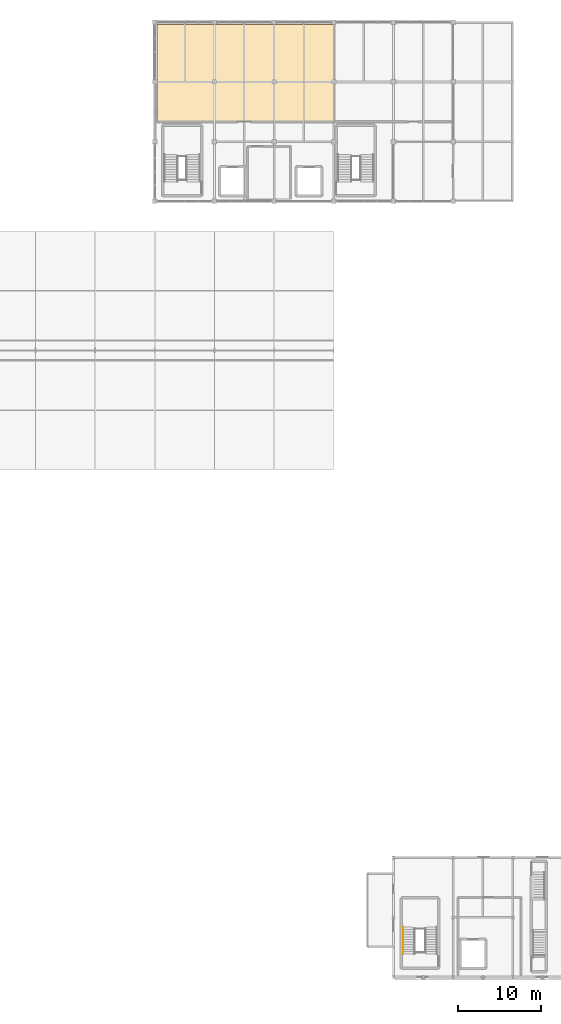
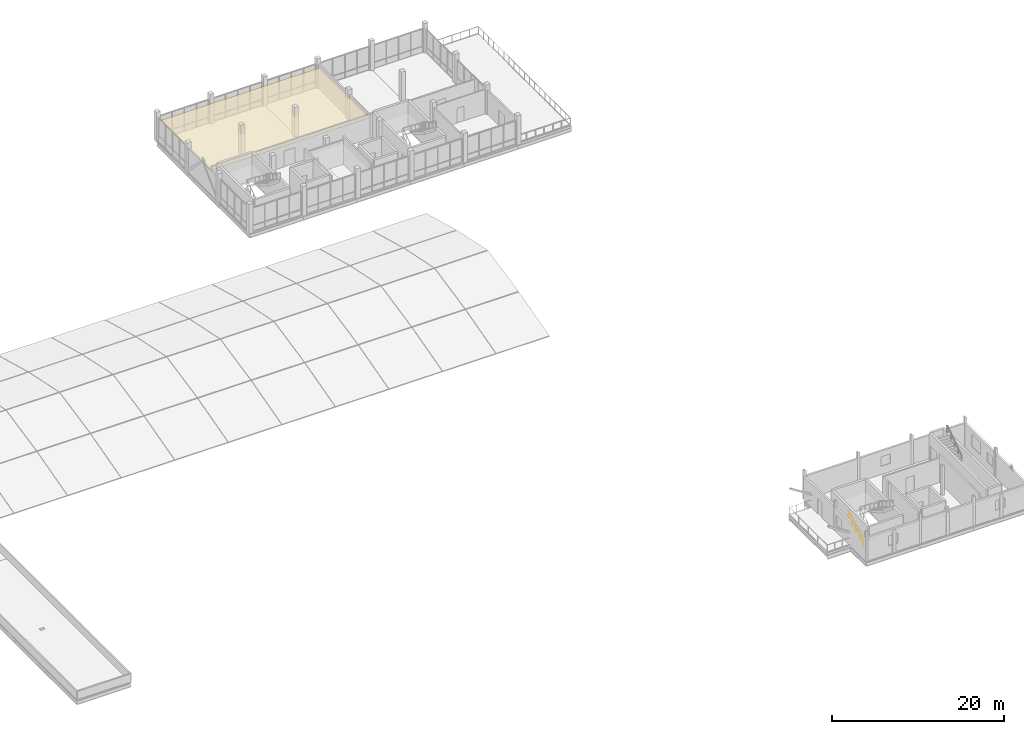
# One storey, part 45 of 47: 1 covering, 1 railing.
"""IFC4 building model written with IfcOpenShell, lengths in metres."""

from ifc_helpers import new_model, si_unit, direction, frame, origin, origin_2d, place, context, subcontext, project, spatial, polyline, circle, outline, extrude, material, layer, layer_set, type_object, element, save


model = new_model("IFC4")

# Units and contexts
model_context = context("Model", 3, precision=1e-05, world=origin(), true_north=direction((0.0, 1.0)))
body_context = subcontext(model_context, "Body", "Model", "MODEL_VIEW")
ifc_project = project(units=[si_unit("LENGTHUNIT", "METRE"), si_unit("AREAUNIT", "SQUARE_METRE"), si_unit("VOLUMEUNIT", "CUBIC_METRE"), si_unit("PLANEANGLEUNIT", "RADIAN"), si_unit("MASSUNIT", "GRAM", prefix="KILO")], contexts=[model_context])

# Site, building, storey
site_placement = place(None, origin())
site = spatial("IfcSite", under=ifc_project, at=site_placement, CompositionType="ELEMENT")
building_placement = place(site_placement, origin())
building = spatial("IfcBuilding", under=site, at=building_placement, Name="Yarey Park Central Fire Station", CompositionType="ELEMENT")
storey_placement = place(building_placement, frame((0.0, 0.0, 18.0)))
storey = spatial("IfcBuildingStorey", under=building, at=storey_placement, Name="L05", CompositionType="ELEMENT", Elevation=18.0)

# Covering
ifc_material_1 = material(Name="Acoustic Mineral Fibre Tile", Category="finish")
ifc_layer = layer(ifc_material_1, 0.031982421875)
ifc_layer_set = layer_set([ifc_layer], Name="Acoustic Mineral Fibre Tile")
covering_type = type_object("IfcCoveringType", Name="INT_CEIL_ACT_2", PredefinedType="CEILING", material=ifc_layer_set)
covering_placement = place(storey_placement, frame((0.0, 0.0, 2.85009765625)))
element("IfcCovering", 1, at=covering_placement, inside=storey, type_object=covering_type, Name="CEIL_SPC_L05_DISPATCH", PredefinedType="CEILING", context=body_context, shape_type="SweptSolid", body=[
    extrude(outline(polyline([(115.489990234375, 103.18994140625), (136.81005859375, 103.18994140625), (136.81005859375, 114.909912109375), (115.489990234375, 114.909912109375), (115.489990234375, 103.18994140625)])), origin(), (0.0, 0.0, 1.0), 0.031982421875),
])

# Railing
ifc_material_2 = material(Name="Stainless Steel AISI 316L", Category="steel")
railing_type = type_object("IfcRailingType", Name="INT_RAIL_HAND090", PredefinedType="HANDRAIL", material=ifc_material_2)
railing_placement = place(storey_placement, frame((145.179931640625, 2.75, 0.0)))
element("IfcRailing", 2, at=railing_placement, inside=storey, type_object=railing_type, Name="HR_C5_L05_F1", PredefinedType="HANDRAIL", context=body_context, shape_type="SweptSolid", body=[
    extrude(circle(Radius=0.02392578125, at=origin_2d()), frame((0.0, 0.0, 0.8759765625), z_axis=(0.0, 0.843653777646, 0.53688760785), x_axis=(-1.0, 0.0, 0.0)), (0.0, 0.0, 1.0), 3.91162109375),
    extrude(circle(Radius=0.02099609375, at=origin_2d()), origin(), (0.0, 0.0, 1.0), 0.851806640625),
    extrude(circle(Radius=0.02099609375, at=origin_2d()), frame((0.0, 0.824951171875, 0.52490234375)), (0.0, 0.0, 1.0), 0.851806640625),
    extrude(circle(Radius=0.02099609375, at=origin_2d()), frame((0.0, 1.64990234375, 1.050048828125)), (0.0, 0.0, 1.0), 0.851806640625),
    extrude(circle(Radius=0.02099609375, at=origin_2d()), frame((0.0, 2.47509765625, 1.5751953125)), (0.0, 0.0, 1.0), 0.851806640625),
    extrude(circle(Radius=0.02099609375, at=origin_2d()), frame((0.0, 3.300048828125, 2.10009765625)), (0.0, 0.0, 1.0), 0.851806640625),
])

save(model, "model.ifc")
